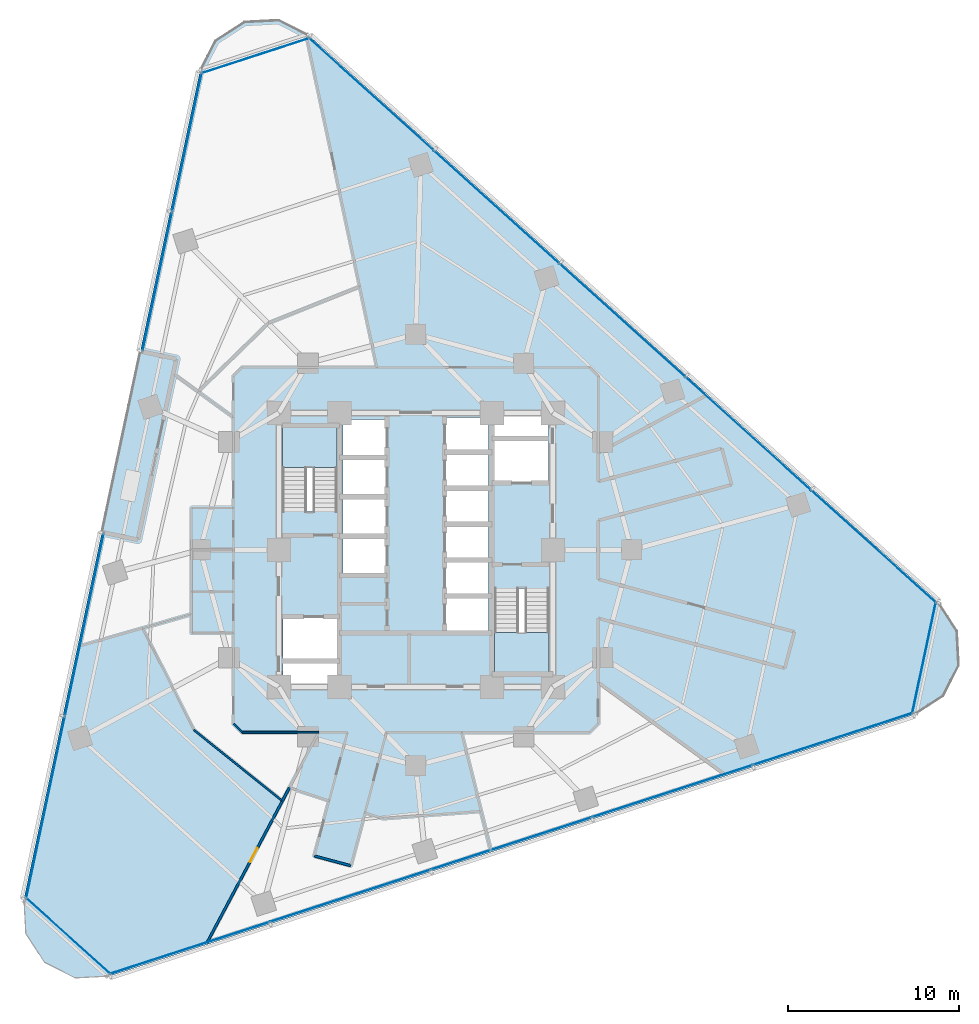
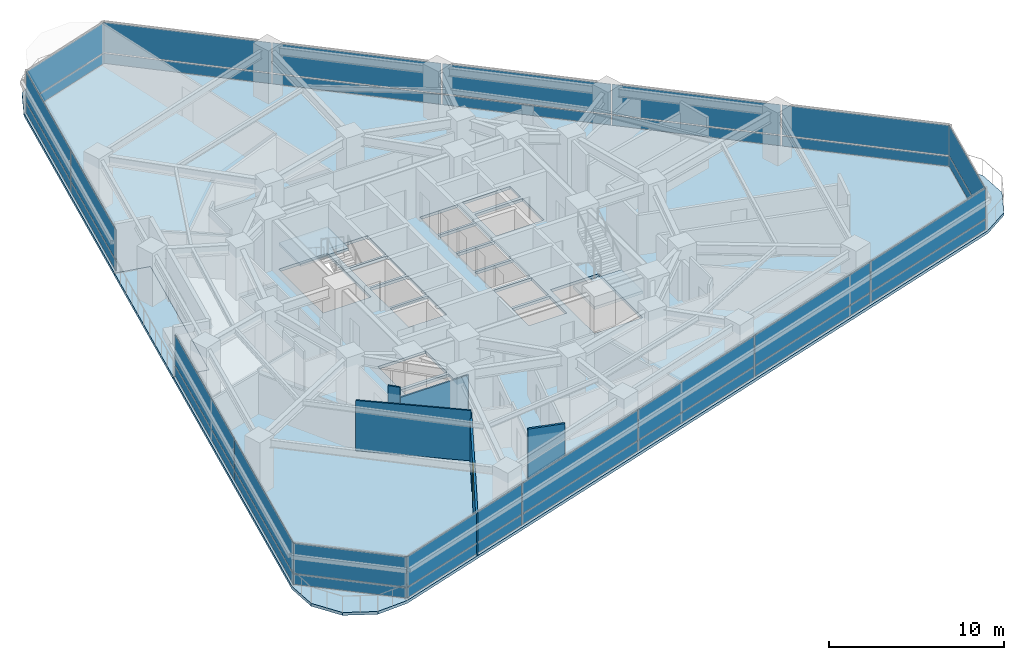
# One storey, part 6 of 14: 34 plates, 6 walls, 4 slabs, 1 door, 1 opening, 9 elements without a shape of their own.
"""IFC4 building model written with IfcOpenShell, lengths in metres."""

from ifc_helpers import new_model, si_unit, direction, frame, frame_2d, origin, origin_2d, place, context, subcontext, project, spatial, polyline, rectangle, outline, extrude, material, layer, layer_set, type_object, element, fill, aggregate, save


model = new_model("IFC4")

# Units and contexts
model_context = context("Model", 3, precision=1e-05, world=origin(), true_north=direction((0.0, 1.0)))
body_context = subcontext(model_context, "Body", "Model", "MODEL_VIEW")
ifc_project = project(units=[si_unit("LENGTHUNIT", "METRE"), si_unit("AREAUNIT", "SQUARE_METRE"), si_unit("VOLUMEUNIT", "CUBIC_METRE"), si_unit("PLANEANGLEUNIT", "RADIAN"), si_unit("MASSUNIT", "GRAM", prefix="KILO")], contexts=[model_context])

# Site, building, storey
site_placement = place(None, origin())
site = spatial("IfcSite", under=ifc_project, at=site_placement, CompositionType="ELEMENT")
building_placement = place(site_placement, origin())
building = spatial("IfcBuilding", under=site, at=building_placement, Name="Terralouvre Media Tower", CompositionType="ELEMENT")
storey_placement = place(building_placement, frame((0.0, 0.0, 97.699951171875)))
storey = spatial("IfcBuildingStorey", under=building, at=storey_placement, Name="L24", CompositionType="ELEMENT", Elevation=97.699951171875)

# Slabs
ifc_material_1 = material(Name="Concrete C40/50", Category="concrete")
ifc_layer_1 = layer(ifc_material_1, 0.199951171875, Name="Composite Tower Floor Slab S-TYP200")
ifc_layer_set_1 = layer_set([ifc_layer_1], Name="Concrete C40/50")
slab_type_1 = type_object("IfcSlabType", Name="Composite Tower Floor Slab S-TYP200", PredefinedType="FLOOR", material=ifc_layer_set_1)
slab_1_placement = place(storey_placement, frame((0.0, 0.0, -0.199951171875), z_axis=(0.0, 0.0, 1.0), x_axis=(0.951056516295, 0.309016994375, 0.0)))
element("IfcSlab", 1, at=slab_1_placement, inside=storey, type_object=slab_type_1, Name="L24 Structural Floor Slab", PredefinedType="FLOOR", context=body_context, shape_type="SweptSolid", body=[
    extrude(outline(polyline([(-3.360107421875, 30.484130859375), (-11.72021484375, 16.004150390625), (-9.858154296875, 14.92919921875), (-15.25830078125, 5.576171875), (-17.1201171875, 6.651123046875), (-28.080078125, -12.33203125), (-28.60009765625, -14.272216796875), (-28.080078125, -16.212158203125), (-26.659912109375, -17.63232421875), (-24.719970703125, -18.152099609375), (24.719970703125, -18.152099609375), (26.659912109375, -17.63232421875), (28.080078125, -16.212158203125), (28.60009765625, -14.272216796875), (28.080078125, -12.33203125), (3.360107421875, 30.484130859375), (1.93994140625, 31.904296875), (0.0, 32.424072265625), (-1.93994140625, 31.904296875), (-3.360107421875, 30.484130859375)]), holes=[polyline([(-6.78515625, -5.996826171875), (-9.781005859375, -5.0234375), (-9.41015625, -3.882080078125), (-6.414306640625, -4.85546875), (-6.78515625, -5.996826171875)]), polyline([(-6.3525390625, -4.665283203125), (-9.348388671875, -3.69189453125), (-8.59130859375, -1.36181640625), (-5.595458984375, -2.335205078125), (-6.3525390625, -4.665283203125)]), polyline([(-2.103271484375, -0.809814453125), (-4.480712890625, -0.037109375), (-3.819580078125, 1.998046875), (-1.44189453125, 1.2255859375), (-2.103271484375, -0.809814453125)]), polyline([(-1.392333984375, 1.377685546875), (-3.77001953125, 2.150146484375), (-3.108642578125, 4.185546875), (-0.731201171875, 3.4130859375), (-1.392333984375, 1.377685546875)]), polyline([(4.5302734375, 0.189453125), (2.152587890625, 0.9619140625), (2.752197265625, 2.806884765625), (5.129638671875, 2.034423828125), (4.5302734375, 0.189453125)]), polyline([(-0.681640625, 3.565185546875), (-3.059326171875, 4.337646484375), (-2.39794921875, 6.373046875), (-0.020263671875, 5.600341796875), (-0.681640625, 3.565185546875)]), polyline([(-3.68115234375, 3.556640625), (-6.70556640625, 4.539306640625), (-5.15576171875, 9.308837890625), (-2.13134765625, 8.326171875), (-3.68115234375, 3.556640625)]), polyline([(0.029052734375, 5.752685546875), (-2.3486328125, 6.525146484375), (-1.687255859375, 8.560302734375), (0.6904296875, 7.787841796875), (0.029052734375, 5.752685546875)]), polyline([(3.68115234375, -3.556640625), (6.70556640625, -4.539306640625), (5.15576171875, -9.308837890625), (2.13134765625, -8.326171875), (3.68115234375, -3.556640625)]), polyline([(2.58349609375, -5.80224609375), (0.205810546875, -5.02978515625), (0.80517578125, -3.184814453125), (3.182861328125, -3.957275390625), (2.58349609375, -5.80224609375)]), polyline([(3.232421875, -3.80517578125), (0.854736328125, -3.032470703125), (1.4541015625, -1.1875), (3.831787109375, -1.9599609375), (3.232421875, -3.80517578125)]), polyline([(3.88134765625, -1.807861328125), (1.503662109375, -1.035400390625), (2.103271484375, 0.809814453125), (4.480712890625, 0.037109375), (3.88134765625, -1.807861328125)]), polyline([(5.17919921875, 2.1865234375), (2.801513671875, 2.959228515625), (3.401123046875, 4.80419921875), (5.778564453125, 4.031494140625), (5.17919921875, 2.1865234375)]), polyline([(8.59130859375, 1.36181640625), (5.595458984375, 2.335205078125), (6.3525390625, 4.665283203125), (9.348388671875, 3.69189453125), (8.59130859375, 1.36181640625)]), polyline([(5.828125, 4.183837890625), (3.450439453125, 4.956298828125), (4.050048828125, 6.80126953125), (6.427490234375, 6.02880859375), (5.828125, 4.183837890625)]), polyline([(9.41015625, 3.882080078125), (6.414306640625, 4.85546875), (6.78515625, 5.996826171875), (9.781005859375, 5.0234375), (9.41015625, 3.882080078125)])]), origin(), (0.0, 0.0, 1.0), 0.199951171875),
])
ifc_material_2 = material(Name="Concrete C45/55", Category="concrete")
ifc_layer_2 = layer(ifc_material_2, 0.2099609375, Name="Planted Sky-Garden External Deck S-TER210")
ifc_layer_set_2 = layer_set([ifc_layer_2], Name="Concrete C45/55")
slab_type_2 = type_object("IfcSlabType", Name="Planted Sky-Garden External Deck S-TER210", PredefinedType="FLOOR", material=ifc_layer_set_2)
slab_2_placement = place(storey_placement, frame((0.0, 0.0, -0.2099609375), z_axis=(0.0, 0.0, 1.0), x_axis=(0.951056516295, 0.309016994375, 0.0)))
element("IfcSlab", 2, at=slab_2_placement, inside=storey, type_object=slab_type_2, Name="L24 Helical Planted Sky-Garden Deck 05", PredefinedType="FLOOR", context=body_context, shape_type="SweptSolid", body=[
    extrude(outline(polyline([(-11.72021484375, 16.004150390625), (-17.1201171875, 6.651123046875), (-15.25830078125, 5.576171875), (-9.858154296875, 14.92919921875), (-11.72021484375, 16.004150390625)])), origin(), (0.0, 0.0, 1.0), 0.2099609375),
])

# Stair, slab
ifc_material_3 = material(Name="Concrete C45/55", Category="concrete")
stair_type_1 = type_object("IfcStairType", Name="Dogleg Stair Assembly ST-01", PredefinedType="HALF_TURN_STAIR", material=ifc_material_3)
stair_1_placement = place(storey_placement, origin())
stair_1 = element("IfcStair", 3, at=stair_1_placement, inside=storey, type_object=stair_type_1, Name="L24 Core Pressurised Exit Stair ST-01", PredefinedType="HALF_TURN_STAIR")
ifc_material_4 = material(Name="Concrete C45/55", Category="concrete")
ifc_layer_3 = layer(ifc_material_4, 0.199951171875, Name="Reinforced Concrete Stair Half-Landing SL-LD1")
ifc_layer_set_3 = layer_set([ifc_layer_3], Name="Concrete C45/55")
slab_type_3 = type_object("IfcSlabType", Name="Reinforced Concrete Stair Half-Landing SL-LD1", PredefinedType="LANDING", material=ifc_layer_set_3)
slab_3_placement = place(storey_placement, frame((0.0, 0.0, 1.650146484375)))
slab_3 = element("IfcSlab", 4, at=slab_3_placement, type_object=slab_type_3, Name="ST-01 landing 1", PredefinedType="LANDING", context=body_context, shape_type="SweptSolid", body=[
    extrude(outline(polyline([(-4.60009765625, 4.820068359375), (-4.60009765625, 7.260009765625), (-7.780029296875, 7.260009765625), (-7.780029296875, 4.820068359375), (-4.60009765625, 4.820068359375)])), origin(), (0.0, 0.0, 1.0), 0.199951171875),
])
aggregate(stair_1, [slab_3])

ifc_material_5 = material(Name="Concrete C45/55", Category="concrete")
stair_type_2 = type_object("IfcStairType", Name="Dogleg Stair Assembly ST-02", PredefinedType="HALF_TURN_STAIR", material=ifc_material_5)
stair_2_placement = place(storey_placement, origin())
stair_2 = element("IfcStair", 5, at=stair_2_placement, inside=storey, type_object=stair_type_2, Name="L24 Core Pressurised Exit Stair ST-02", PredefinedType="HALF_TURN_STAIR")
slab_4_placement = place(storey_placement, frame((0.0, 0.0, 1.650146484375)))
slab_4 = element("IfcSlab", 6, at=slab_4_placement, type_object=slab_type_3, Name="ST-02 landing 1", PredefinedType="LANDING", context=body_context, shape_type="SweptSolid", body=[
    extrude(outline(polyline([(4.60009765625, -4.820068359375), (4.60009765625, -7.260009765625), (7.780029296875, -7.260009765625), (7.780029296875, -4.820068359375), (4.60009765625, -4.820068359375)])), origin(), (0.0, 0.0, 1.0), 0.199951171875),
])
aggregate(stair_2, [slab_4])

# Curtain wall, plates
ifc_material_6 = material(Name="Low-iron laminated double glazing with solar-control coating", Category="glass")
ifc_layer_4 = layer(ifc_material_6, 0.1650390625, Name="Rounded Wind-Corner Curved Glazing CW-04")
ifc_layer_set_4 = layer_set([ifc_layer_4], Name="Low-iron laminated double glazing with solar-control coating")
curtain_wall_type_1 = type_object("IfcCurtainWallType", Name="Rounded Wind-Corner Curved Glazing CW-04", PredefinedType="NOTDEFINED", material=ifc_layer_set_4)
curtain_wall_1_placement = place(storey_placement, origin())
curtain_wall_1 = element("IfcCurtainWall", 7, at=curtain_wall_1_placement, inside=storey, type_object=curtain_wall_type_1, Name="L24 Rounded Wind-Corner Curtain Wall C0", PredefinedType="NOTDEFINED")
ifc_material_7 = material(Name="Low-iron laminated double glazing with solar-control coating", Category="glass")
ifc_layer_5 = layer(ifc_material_7, 0.0400390625, Name="Rounded Corner Laminated Vision Panel CWP-03")
ifc_layer_set_5 = layer_set([ifc_layer_5], Name="Low-iron laminated double glazing with solar-control coating")
plate_type_1 = type_object("IfcPlateType", Name="Rounded Corner Laminated Vision Panel CWP-03", PredefinedType="CURTAIN_PANEL", material=ifc_layer_set_5)
plate_1_placement = place(storey_placement, frame((-20.30419921875, -22.550048828125, 0.074951171875), z_axis=(0.0, 0.0, 1.0), x_axis=(0.743144668471, -0.669130780732, 0.0)))
plate_1 = element("IfcPlate", 8, at=plate_1_placement, type_object=plate_type_1, Name="CW-04 panel 1.1", PredefinedType="CURTAIN_PANEL", context=body_context, shape_type="SweptSolid", body=[
    extrude(rectangle(XDim=6.5703125, YDim=0.035888671875, at=origin_2d()), origin(), (0.0, 0.0, 1.0), 0.6875),
])
plate_2_placement = place(storey_placement, frame((-20.30419921875, -22.550048828125, 0.837646484375), z_axis=(0.0, 0.0, 1.0), x_axis=(0.743144668471, -0.669130780732, 0.0)))
plate_2 = element("IfcPlate", 9, at=plate_2_placement, type_object=plate_type_1, Name="CW-04 panel 1.2", PredefinedType="CURTAIN_PANEL", context=body_context, shape_type="SweptSolid", body=[
    extrude(rectangle(XDim=6.5703125, YDim=0.035888671875, at=origin_2d()), origin(), (0.0, 0.0, 1.0), 2.08740234375),
])
aggregate(curtain_wall_1, [plate_1, plate_2])

curtain_wall_2_placement = place(storey_placement, origin())
curtain_wall_2 = element("IfcCurtainWall", 10, at=curtain_wall_2_placement, inside=storey, type_object=curtain_wall_type_1, Name="L24 Rounded Wind-Corner Curtain Wall C1", PredefinedType="NOTDEFINED")
plate_3_placement = place(storey_placement, frame((29.68115234375, -6.308837890625, 0.074951171875), z_axis=(0.0, 0.0, 1.0), x_axis=(0.207911611348, 0.978147617626, 0.0)))
plate_3 = element("IfcPlate", 11, at=plate_3_placement, type_object=plate_type_1, Name="CW-04 panel 1.1", PredefinedType="CURTAIN_PANEL", context=body_context, shape_type="SweptSolid", body=[
    extrude(rectangle(XDim=6.5703125, YDim=0.035888671875, at=origin_2d()), origin(), (0.0, 0.0, 1.0), 0.6875),
])
plate_4_placement = place(storey_placement, frame((29.68115234375, -6.308837890625, 0.837646484375), z_axis=(0.0, 0.0, 1.0), x_axis=(0.207911611348, 0.978147617626, 0.0)))
plate_4 = element("IfcPlate", 12, at=plate_4_placement, type_object=plate_type_1, Name="CW-04 panel 1.2", PredefinedType="CURTAIN_PANEL", context=body_context, shape_type="SweptSolid", body=[
    extrude(rectangle(XDim=6.5703125, YDim=0.035888671875, at=origin_2d()), origin(), (0.0, 0.0, 1.0), 2.08740234375),
])
aggregate(curtain_wall_2, [plate_3, plate_4])

curtain_wall_3_placement = place(storey_placement, origin())
curtain_wall_3 = element("IfcCurtainWall", 13, at=curtain_wall_3_placement, inside=storey, type_object=curtain_wall_type_1, Name="L24 Rounded Wind-Corner Curtain Wall C2", PredefinedType="NOTDEFINED")
plate_5_placement = place(storey_placement, frame((-9.376953125, 28.859130859375, 0.074951171875), z_axis=(0.0, 0.0, 1.0), x_axis=(-0.951056286408, -0.309017701894, 0.0)))
plate_5 = element("IfcPlate", 14, at=plate_5_placement, type_object=plate_type_1, Name="CW-04 panel 1.1", PredefinedType="CURTAIN_PANEL", context=body_context, shape_type="SweptSolid", body=[
    extrude(rectangle(XDim=6.5703125, YDim=0.035888671875, at=origin_2d()), origin(), (0.0, 0.0, 1.0), 0.6875),
])
plate_6_placement = place(storey_placement, frame((-9.376953125, 28.859130859375, 0.837646484375), z_axis=(0.0, 0.0, 1.0), x_axis=(-0.951056286408, -0.309017701894, 0.0)))
plate_6 = element("IfcPlate", 15, at=plate_6_placement, type_object=plate_type_1, Name="CW-04 panel 1.2", PredefinedType="CURTAIN_PANEL", context=body_context, shape_type="SweptSolid", body=[
    extrude(rectangle(XDim=6.5703125, YDim=0.035888671875, at=origin_2d()), origin(), (0.0, 0.0, 1.0), 2.08740234375),
])
aggregate(curtain_wall_3, [plate_5, plate_6])

ifc_material_8 = material(Name="Low-iron laminated double glazing with solar-control coating", Category="glass")
ifc_layer_6 = layer(ifc_material_8, 0.1650390625, Name="Lower Media Tower Unitised Curtain Wall CW-02")
ifc_layer_set_6 = layer_set([ifc_layer_6], Name="Low-iron laminated double glazing with solar-control coating")
curtain_wall_type_2 = type_object("IfcCurtainWallType", Name="Lower Media Tower Unitised Curtain Wall CW-02", PredefinedType="NOTDEFINED", material=ifc_layer_set_6)
curtain_wall_4_placement = place(storey_placement, origin())
curtain_wall_4 = element("IfcCurtainWall", 16, at=curtain_wall_4_placement, inside=storey, type_object=curtain_wall_type_2, Name="L24 Facade Curtain Wall F0", PredefinedType="NOTDEFINED")
ifc_material_9 = material(Name="Low-iron laminated double glazing with solar-control coating", Category="glass")
ifc_layer_7 = layer(ifc_material_9, 0.035888671875, Name="Vision Double-Glazed Unit CWP-01")
ifc_layer_set_7 = layer_set([ifc_layer_7], Name="Low-iron laminated double glazing with solar-control coating")
plate_type_2 = type_object("IfcPlateType", Name="Vision Double-Glazed Unit CWP-01", PredefinedType="CURTAIN_PANEL", material=ifc_layer_set_7)
plate_7_placement = place(storey_placement, frame((-13.218017578125, -23.2548828125, 0.074951171875), z_axis=(0.0, 0.0, 1.0), x_axis=(0.951056509451, 0.309017015439, 0.0)))
plate_7 = element("IfcPlate", 17, at=plate_7_placement, type_object=plate_type_2, Name="CW-02 panel 1.1", PredefinedType="CURTAIN_PANEL", context=body_context, shape_type="SweptSolid", body=[
    extrude(rectangle(XDim=9.775390625, YDim=0.035888671875, at=origin_2d()), origin(), (0.0, 0.0, 1.0), 0.6875),
])
plate_8_placement = place(storey_placement, frame((-13.218017578125, -23.2548828125, 0.837646484375), z_axis=(0.0, 0.0, 1.0), x_axis=(0.951056509451, 0.309017015439, 0.0)))
plate_8 = element("IfcPlate", 18, at=plate_8_placement, type_object=plate_type_2, Name="CW-02 panel 1.2", PredefinedType="CURTAIN_PANEL", context=body_context, shape_type="SweptSolid", body=[
    extrude(rectangle(XDim=9.775390625, YDim=0.035888671875, at=origin_2d()), origin(), (0.0, 0.0, 1.0), 2.08740234375),
])
plate_9_placement = place(storey_placement, frame((-3.831787109375, -20.205078125, 0.074951171875), z_axis=(0.0, 0.0, 1.0), x_axis=(0.951056509451, 0.309017015439, 0.0)))
plate_9 = element("IfcPlate", 19, at=plate_9_placement, type_object=plate_type_2, Name="CW-02 panel 2.1", PredefinedType="CURTAIN_PANEL", context=body_context, shape_type="SweptSolid", body=[
    extrude(rectangle(XDim=9.81298828125, YDim=0.035888671875, at=origin_2d()), origin(), (0.0, 0.0, 1.0), 0.6875),
])
plate_10_placement = place(storey_placement, frame((-3.831787109375, -20.205078125, 0.837646484375), z_axis=(0.0, 0.0, 1.0), x_axis=(0.951056509451, 0.309017015439, 0.0)))
plate_10 = element("IfcPlate", 20, at=plate_10_placement, type_object=plate_type_2, Name="CW-02 panel 2.2", PredefinedType="CURTAIN_PANEL", context=body_context, shape_type="SweptSolid", body=[
    extrude(rectangle(XDim=9.81298828125, YDim=0.035888671875, at=origin_2d()), origin(), (0.0, 0.0, 1.0), 2.08740234375),
])
plate_11_placement = place(storey_placement, frame((5.572265625, -17.149658203125, 0.074951171875), z_axis=(0.0, 0.0, 1.0), x_axis=(0.951056509451, 0.309017015439, 0.0)))
plate_11 = element("IfcPlate", 21, at=plate_11_placement, type_object=plate_type_2, Name="CW-02 panel 3.1", PredefinedType="CURTAIN_PANEL", context=body_context, shape_type="SweptSolid", body=[
    extrude(rectangle(XDim=9.81298828125, YDim=0.035888671875, at=origin_2d()), origin(), (0.0, 0.0, 1.0), 0.6875),
])
plate_12_placement = place(storey_placement, frame((5.572265625, -17.149658203125, 0.837646484375), z_axis=(0.0, 0.0, 1.0), x_axis=(0.951056509451, 0.309017015439, 0.0)))
plate_12 = element("IfcPlate", 22, at=plate_12_placement, type_object=plate_type_2, Name="CW-02 panel 3.2", PredefinedType="CURTAIN_PANEL", context=body_context, shape_type="SweptSolid", body=[
    extrude(rectangle(XDim=9.81298828125, YDim=0.035888671875, at=origin_2d()), origin(), (0.0, 0.0, 1.0), 2.08740234375),
])
plate_13_placement = place(storey_placement, frame((14.976318359375, -14.093994140625, 0.074951171875), z_axis=(0.0, 0.0, 1.0), x_axis=(0.951056509451, 0.309017015439, 0.0)))
plate_13 = element("IfcPlate", 23, at=plate_13_placement, type_object=plate_type_2, Name="CW-02 panel 4.1", PredefinedType="CURTAIN_PANEL", context=body_context, shape_type="SweptSolid", body=[
    extrude(rectangle(XDim=9.81298828125, YDim=0.035888671875, at=origin_2d()), origin(), (0.0, 0.0, 1.0), 0.6875),
])
plate_14_placement = place(storey_placement, frame((14.976318359375, -14.093994140625, 0.837646484375), z_axis=(0.0, 0.0, 1.0), x_axis=(0.951056509451, 0.309017015439, 0.0)))
plate_14 = element("IfcPlate", 24, at=plate_14_placement, type_object=plate_type_2, Name="CW-02 panel 4.2", PredefinedType="CURTAIN_PANEL", context=body_context, shape_type="SweptSolid", body=[
    extrude(rectangle(XDim=9.81298828125, YDim=0.035888671875, at=origin_2d()), origin(), (0.0, 0.0, 1.0), 2.08740234375),
])
plate_15_placement = place(storey_placement, frame((24.362548828125, -11.044189453125, 0.074951171875), z_axis=(0.0, 0.0, 1.0), x_axis=(0.951056509451, 0.309017015439, 0.0)))
plate_15 = element("IfcPlate", 25, at=plate_15_placement, type_object=plate_type_2, Name="CW-02 panel 5.1", PredefinedType="CURTAIN_PANEL", context=body_context, shape_type="SweptSolid", body=[
    extrude(rectangle(XDim=9.775390625, YDim=0.035888671875, at=origin_2d()), origin(), (0.0, 0.0, 1.0), 0.6875),
])
plate_16_placement = place(storey_placement, frame((24.362548828125, -11.044189453125, 0.837646484375), z_axis=(0.0, 0.0, 1.0), x_axis=(0.951056509451, 0.309017015439, 0.0)))
plate_16 = element("IfcPlate", 26, at=plate_16_placement, type_object=plate_type_2, Name="CW-02 panel 5.2", PredefinedType="CURTAIN_PANEL", context=body_context, shape_type="SweptSolid", body=[
    extrude(rectangle(XDim=9.775390625, YDim=0.035888671875, at=origin_2d()), origin(), (0.0, 0.0, 1.0), 2.08740234375),
])
aggregate(curtain_wall_4, [plate_7, plate_8, plate_9, plate_10, plate_11, plate_12, plate_13, plate_14, plate_15, plate_16])

curtain_wall_5_placement = place(storey_placement, origin())
curtain_wall_5 = element("IfcCurtainWall", 27, at=curtain_wall_5_placement, inside=storey, type_object=curtain_wall_type_2, Name="L24 Facade Curtain Wall F1", PredefinedType="NOTDEFINED")
plate_17_placement = place(storey_placement, frame((26.748291015625, 0.18017578125, 0.074951171875), z_axis=(0.0, 0.0, 1.0), x_axis=(-0.743144795545, 0.669130639602, 0.0)))
plate_17 = element("IfcPlate", 28, at=plate_17_placement, type_object=plate_type_2, Name="CW-02 panel 1.1", PredefinedType="CURTAIN_PANEL", context=body_context, shape_type="SweptSolid", body=[
    extrude(rectangle(XDim=9.775390625, YDim=0.035888671875, at=origin_2d()), origin(), (0.0, 0.0, 1.0), 0.6875),
])
plate_18_placement = place(storey_placement, frame((26.748291015625, 0.18017578125, 0.837646484375), z_axis=(0.0, 0.0, 1.0), x_axis=(-0.743144795545, 0.669130639602, 0.0)))
plate_18 = element("IfcPlate", 29, at=plate_18_placement, type_object=plate_type_2, Name="CW-02 panel 1.2", PredefinedType="CURTAIN_PANEL", context=body_context, shape_type="SweptSolid", body=[
    extrude(rectangle(XDim=9.775390625, YDim=0.035888671875, at=origin_2d()), origin(), (0.0, 0.0, 1.0), 2.08740234375),
])
plate_19_placement = place(storey_placement, frame((19.4140625, 6.7841796875, 0.074951171875), z_axis=(0.0, 0.0, 1.0), x_axis=(-0.743144795545, 0.669130639602, 0.0)))
plate_19 = element("IfcPlate", 30, at=plate_19_placement, type_object=plate_type_2, Name="CW-02 panel 2.1", PredefinedType="CURTAIN_PANEL", context=body_context, shape_type="SweptSolid", body=[
    extrude(rectangle(XDim=9.81298828125, YDim=0.035888671875, at=origin_2d()), origin(), (0.0, 0.0, 1.0), 0.6875),
])
plate_20_placement = place(storey_placement, frame((19.4140625, 6.7841796875, 0.837646484375), z_axis=(0.0, 0.0, 1.0), x_axis=(-0.743144795545, 0.669130639602, 0.0)))
plate_20 = element("IfcPlate", 31, at=plate_20_placement, type_object=plate_type_2, Name="CW-02 panel 2.2", PredefinedType="CURTAIN_PANEL", context=body_context, shape_type="SweptSolid", body=[
    extrude(rectangle(XDim=9.81298828125, YDim=0.035888671875, at=origin_2d()), origin(), (0.0, 0.0, 1.0), 2.08740234375),
])
plate_21_placement = place(storey_placement, frame((12.06591796875, 13.400390625, 0.074951171875), z_axis=(0.0, 0.0, 1.0), x_axis=(-0.743144795545, 0.669130639602, 0.0)))
plate_21 = element("IfcPlate", 32, at=plate_21_placement, type_object=plate_type_2, Name="CW-02 panel 3.1", PredefinedType="CURTAIN_PANEL", context=body_context, shape_type="SweptSolid", body=[
    extrude(rectangle(XDim=9.81298828125, YDim=0.035888671875, at=origin_2d()), origin(), (0.0, 0.0, 1.0), 0.6875),
])
plate_22_placement = place(storey_placement, frame((12.06591796875, 13.400390625, 0.837646484375), z_axis=(0.0, 0.0, 1.0), x_axis=(-0.743144795545, 0.669130639602, 0.0)))
plate_22 = element("IfcPlate", 33, at=plate_22_placement, type_object=plate_type_2, Name="CW-02 panel 3.2", PredefinedType="CURTAIN_PANEL", context=body_context, shape_type="SweptSolid", body=[
    extrude(rectangle(XDim=9.81298828125, YDim=0.035888671875, at=origin_2d()), origin(), (0.0, 0.0, 1.0), 2.08740234375),
])
plate_23_placement = place(storey_placement, frame((4.717529296875, 20.016845703125, 0.074951171875), z_axis=(0.0, 0.0, 1.0), x_axis=(-0.743144795545, 0.669130639602, 0.0)))
plate_23 = element("IfcPlate", 34, at=plate_23_placement, type_object=plate_type_2, Name="CW-02 panel 4.1", PredefinedType="CURTAIN_PANEL", context=body_context, shape_type="SweptSolid", body=[
    extrude(rectangle(XDim=9.81298828125, YDim=0.035888671875, at=origin_2d()), origin(), (0.0, 0.0, 1.0), 0.6875),
])
plate_24_placement = place(storey_placement, frame((4.717529296875, 20.016845703125, 0.837646484375), z_axis=(0.0, 0.0, 1.0), x_axis=(-0.743144795545, 0.669130639602, 0.0)))
plate_24 = element("IfcPlate", 35, at=plate_24_placement, type_object=plate_type_2, Name="CW-02 panel 4.2", PredefinedType="CURTAIN_PANEL", context=body_context, shape_type="SweptSolid", body=[
    extrude(rectangle(XDim=9.81298828125, YDim=0.035888671875, at=origin_2d()), origin(), (0.0, 0.0, 1.0), 2.08740234375),
])
plate_25_placement = place(storey_placement, frame((-2.61669921875, 26.62060546875, 0.074951171875), z_axis=(0.0, 0.0, 1.0), x_axis=(-0.743144795545, 0.669130639602, 0.0)))
plate_25 = element("IfcPlate", 36, at=plate_25_placement, type_object=plate_type_2, Name="CW-02 panel 5.1", PredefinedType="CURTAIN_PANEL", context=body_context, shape_type="SweptSolid", body=[
    extrude(rectangle(XDim=9.775390625, YDim=0.035888671875, at=origin_2d()), origin(), (0.0, 0.0, 1.0), 0.6875),
])
plate_26_placement = place(storey_placement, frame((-2.61669921875, 26.62060546875, 0.837646484375), z_axis=(0.0, 0.0, 1.0), x_axis=(-0.743144795545, 0.669130639602, 0.0)))
plate_26 = element("IfcPlate", 37, at=plate_26_placement, type_object=plate_type_2, Name="CW-02 panel 5.2", PredefinedType="CURTAIN_PANEL", context=body_context, shape_type="SweptSolid", body=[
    extrude(rectangle(XDim=9.775390625, YDim=0.035888671875, at=origin_2d()), origin(), (0.0, 0.0, 1.0), 2.08740234375),
])
aggregate(curtain_wall_5, [plate_17, plate_18, plate_19, plate_20, plate_21, plate_22, plate_23, plate_24, plate_25, plate_26])

curtain_wall_6_placement = place(storey_placement, origin())
curtain_wall_6 = element("IfcCurtainWall", 38, at=curtain_wall_6_placement, inside=storey, type_object=curtain_wall_type_2, Name="L24 Left Flank Curtain Wall F2", PredefinedType="NOTDEFINED")
plate_27_placement = place(storey_placement, frame((-13.371337890625, 23.82177734375, 0.074951171875), z_axis=(0.0, 0.0, 1.0), x_axis=(-0.207912038726, -0.978147526784, 0.0)))
plate_27 = element("IfcPlate", 39, at=plate_27_placement, type_object=plate_type_2, Name="CW-02 panel 1.1", PredefinedType="CURTAIN_PANEL", context=body_context, shape_type="SweptSolid", body=[
    extrude(rectangle(XDim=8.24755859375, YDim=0.035888671875, at=origin_2d()), origin(), (0.0, 0.0, 1.0), 0.6875),
])
plate_28_placement = place(storey_placement, frame((-13.371337890625, 23.82177734375, 0.837646484375), z_axis=(0.0, 0.0, 1.0), x_axis=(-0.207912038726, -0.978147526784, 0.0)))
plate_28 = element("IfcPlate", 40, at=plate_28_placement, type_object=plate_type_2, Name="CW-02 panel 1.2", PredefinedType="CURTAIN_PANEL", context=body_context, shape_type="SweptSolid", body=[
    extrude(rectangle(XDim=8.24755859375, YDim=0.035888671875, at=origin_2d()), origin(), (0.0, 0.0, 1.0), 2.08740234375),
])
plate_29_placement = place(storey_placement, frame((-15.101806640625, 15.68115234375, 0.074951171875), z_axis=(0.0, 0.0, 1.0), x_axis=(-0.207912038726, -0.978147526784, 0.0)))
plate_29 = element("IfcPlate", 41, at=plate_29_placement, type_object=plate_type_2, Name="CW-02 panel 2.1", PredefinedType="CURTAIN_PANEL", context=body_context, shape_type="SweptSolid", body=[
    extrude(rectangle(XDim=8.24755859375, YDim=0.035888671875, at=origin_2d()), origin(), (0.0, 0.0, 1.0), 0.6875),
])
plate_30_placement = place(storey_placement, frame((-15.101806640625, 15.68115234375, 0.837646484375), z_axis=(0.0, 0.0, 1.0), x_axis=(-0.207912038726, -0.978147526784, 0.0)))
plate_30 = element("IfcPlate", 42, at=plate_30_placement, type_object=plate_type_2, Name="CW-02 panel 2.2", PredefinedType="CURTAIN_PANEL", context=body_context, shape_type="SweptSolid", body=[
    extrude(rectangle(XDim=8.24755859375, YDim=0.035888671875, at=origin_2d()), origin(), (0.0, 0.0, 1.0), 2.08740234375),
])
aggregate(curtain_wall_6, [plate_27, plate_28, plate_29, plate_30])

curtain_wall_7_placement = place(storey_placement, origin())
curtain_wall_7 = element("IfcCurtainWall", 43, at=curtain_wall_7_placement, inside=storey, type_object=curtain_wall_type_2, Name="L24 Right Flank Curtain Wall F2", PredefinedType="NOTDEFINED")
plate_31_placement = place(storey_placement, frame((-19.363525390625, -4.368408203125, 0.074951171875), z_axis=(0.0, 0.0, 1.0), x_axis=(-0.207911211217, -0.978147702676, 0.0)))
plate_31 = element("IfcPlate", 44, at=plate_31_placement, type_object=plate_type_2, Name="CW-02 panel 1.1", PredefinedType="CURTAIN_PANEL", context=body_context, shape_type="SweptSolid", body=[
    extrude(rectangle(XDim=10.847412109375, YDim=0.035888671875, at=origin_2d()), origin(), (0.0, 0.0, 1.0), 0.6875),
])
plate_32_placement = place(storey_placement, frame((-19.363525390625, -4.368408203125, 0.837646484375), z_axis=(0.0, 0.0, 1.0), x_axis=(-0.207911211217, -0.978147702676, 0.0)))
plate_32 = element("IfcPlate", 45, at=plate_32_placement, type_object=plate_type_2, Name="CW-02 panel 1.2", PredefinedType="CURTAIN_PANEL", context=body_context, shape_type="SweptSolid", body=[
    extrude(rectangle(XDim=10.847412109375, YDim=0.035888671875, at=origin_2d()), origin(), (0.0, 0.0, 1.0), 2.08740234375),
])
plate_33_placement = place(storey_placement, frame((-21.63427734375, -15.05224609375, 0.074951171875), z_axis=(0.0, 0.0, 1.0), x_axis=(-0.207911211217, -0.978147702676, 0.0)))
plate_33 = element("IfcPlate", 46, at=plate_33_placement, type_object=plate_type_2, Name="CW-02 panel 2.1", PredefinedType="CURTAIN_PANEL", context=body_context, shape_type="SweptSolid", body=[
    extrude(rectangle(XDim=10.847412109375, YDim=0.035888671875, at=origin_2d()), origin(), (0.0, 0.0, 1.0), 0.6875),
])
plate_34_placement = place(storey_placement, frame((-21.63427734375, -15.05224609375, 0.837646484375), z_axis=(0.0, 0.0, 1.0), x_axis=(-0.207911211217, -0.978147702676, 0.0)))
plate_34 = element("IfcPlate", 47, at=plate_34_placement, type_object=plate_type_2, Name="CW-02 panel 2.2", PredefinedType="CURTAIN_PANEL", context=body_context, shape_type="SweptSolid", body=[
    extrude(rectangle(XDim=10.847412109375, YDim=0.035888671875, at=origin_2d()), origin(), (0.0, 0.0, 1.0), 2.08740234375),
])
aggregate(curtain_wall_7, [plate_31, plate_32, plate_33, plate_34])

# Walls
ifc_material_10 = material(Name="Low-iron laminated double glazing with solar-control coating", Category="glass")
ifc_layer_8 = layer(ifc_material_10, 0.10009765625, Name="Demountable Glazed Office Partition PT-GL100")
ifc_layer_set_8 = layer_set([ifc_layer_8], Name="Low-iron laminated double glazing with solar-control coating")
wall_type_1 = type_object("IfcWallType", Name="Demountable Glazed Office Partition PT-GL100", PredefinedType="MOVABLE", material=ifc_layer_set_8)
wall_1_placement = place(storey_placement, frame((-10.64990234375, -10.14990234375, 0.0), z_axis=(0.0, 0.0, 1.0), x_axis=(0.707106781187, -0.707106781187, 0.0)))
element("IfcWall", 48, at=wall_1_placement, inside=storey, type_object=wall_type_1, Name="L24 Interior Partition 020", PredefinedType="MOVABLE", context=body_context, shape_type="SweptSolid", body=[
    extrude(rectangle(XDim=0.70703125, YDim=0.10009765625, at=frame_2d((0.353515625, 0.0))), origin(), (0.0, 0.0, 1.0), 3.5),
])
wall_2_placement = place(storey_placement, frame((-10.14990234375, -10.64990234375, 0.0), z_axis=(0.0, 0.0, 1.0), x_axis=(1.0, 0.0, 0.0)))
element("IfcWall", 49, at=wall_2_placement, inside=storey, type_object=wall_type_1, Name="L24 Interior Partition 021", PredefinedType="MOVABLE", context=body_context, shape_type="SweptSolid", body=[
    extrude(rectangle(XDim=4.48681640625, YDim=0.10009765625, at=frame_2d((2.243408203125, 0.0))), origin(), (0.0, 0.0, 1.0), 2.78515625),
])
wall_3_placement = place(storey_placement, frame((-12.97802734375, -10.510009765625, 0.0), z_axis=(0.0, 0.0, 1.0), x_axis=(0.779852762203, -0.625962993543, 0.0)))
element("IfcWall", 50, at=wall_3_placement, inside=storey, type_object=wall_type_1, Name="L24 Interior Partition 050", PredefinedType="MOVABLE", context=body_context, shape_type="SweptSolid", body=[
    extrude(rectangle(XDim=6.640869140625, YDim=0.10009765625, at=frame_2d((3.3203125, 0.0))), origin(), (0.0, 0.0, 1.0), 3.5),
])
ifc_material_11 = material(Name="Fire-rated gypsum board drywall partition")
ifc_layer_9 = layer(ifc_material_11, 0.135009765625, Name="Newsroom Acoustic Partition PT-135")
ifc_layer_set_9 = layer_set([ifc_layer_9], Name="Fire-rated gypsum board drywall partition")
wall_type_2 = type_object("IfcWallType", Name="Newsroom Acoustic Partition PT-135", PredefinedType="PARTITIONING", material=ifc_layer_set_9)
wall_4_placement = place(storey_placement, frame((-5.927978515625, -17.875, 0.0), z_axis=(0.0, 0.0, 1.0), x_axis=(0.965959937537, -0.258691706618, 0.0)))
element("IfcWall", 51, at=wall_4_placement, inside=storey, type_object=wall_type_2, Name="L24 Interior Partition 013", PredefinedType="PARTITIONING", context=body_context, shape_type="SweptSolid", body=[
    extrude(rectangle(XDim=2.199951171875, YDim=0.135009765625, at=frame_2d((1.10009765625, 0.0))), origin(), (0.0, 0.0, 1.0), 3.5),
])
wall_5_placement = place(storey_placement, frame((-7.382080078125, -13.883056640625, 0.0), z_axis=(0.0, 0.0, 1.0), x_axis=(-0.469617532863, -0.882869963714, 0.0)))
element("IfcWall", 52, at=wall_5_placement, inside=storey, type_object=wall_type_2, Name="L24 Interior Partition 039", PredefinedType="PARTITIONING", context=body_context, shape_type="SweptSolid", body=[
    extrude(rectangle(XDim=0.887939453125, YDim=0.135009765625, at=frame_2d((0.44384765625, 0.0))), origin(), (0.0, 0.0, 1.0), 2.78515625),
])

# Wall, opening, door
wall_6_placement = place(storey_placement, frame((-7.799072265625, -14.6669921875, 0.0), z_axis=(0.0, 0.0, 1.0), x_axis=(-0.469441180524, -0.882963746723, 0.0)))
wall_6 = element("IfcWall", 53, at=wall_6_placement, inside=storey, type_object=wall_type_2, Name="L24 Interior Partition 040", PredefinedType="PARTITIONING", context=body_context, shape_type="SweptSolid", body=[
    extrude(rectangle(XDim=9.404296875, YDim=0.135009765625, at=frame_2d((4.7021484375, 0.0))), origin(), (0.0, 0.0, 1.0), 2.93505859375),
])
opening_placement = place(wall_6_placement, frame((3.11376953125, 0.0, 0.0)))
opening = element("IfcOpeningElement", 54, at=opening_placement, cuts=wall_6, Name="Opening ID-03-92X210", PredefinedType="OPENING", context=body_context, shape_type="SweptSolid", body=[
    extrude(rectangle(XDim=0.919921875, YDim=2.10009765625, at=frame_2d((0.4599609375, 1.050048828125))), frame((0.0, 0.077392578125, 0.0), z_axis=(0.0, -1.0, 0.0), x_axis=(1.0, 0.0, 0.0)), (0.0, 0.0, 1.0), 0.155029296875),
])
ifc_material_12 = material(Name="Engineered hardwood acoustic timber leaf", Category="wood")
door_type = type_object("IfcDoorType", Name="Accessible Restroom and Suite Door ID-03 (920x2100)", OperationType="NOTDEFINED", PredefinedType="DOOR", material=ifc_material_12)
door_placement = place(opening_placement, origin())
door = element("IfcDoor", 55, at=door_placement, inside=storey, type_object=door_type, Name="L24 Media Ingest Storage 6 Door", OperationType="SINGLE_SWING_RIGHT", OverallHeight=2.10009765625, OverallWidth=0.919921875, PredefinedType="DOOR", context=body_context, shape_type="SweptSolid", body=[
    extrude(rectangle(XDim=0.919921875, YDim=2.10009765625, at=frame_2d((0.4599609375, 1.050048828125))), frame((0.0, 0.02490234375, 0.0), z_axis=(0.0, -1.0, 0.0), x_axis=(1.0, 0.0, 0.0)), (0.0, 0.0, 1.0), 0.050048828125),
])
fill(opening, door)

save(model, "model.ifc")
